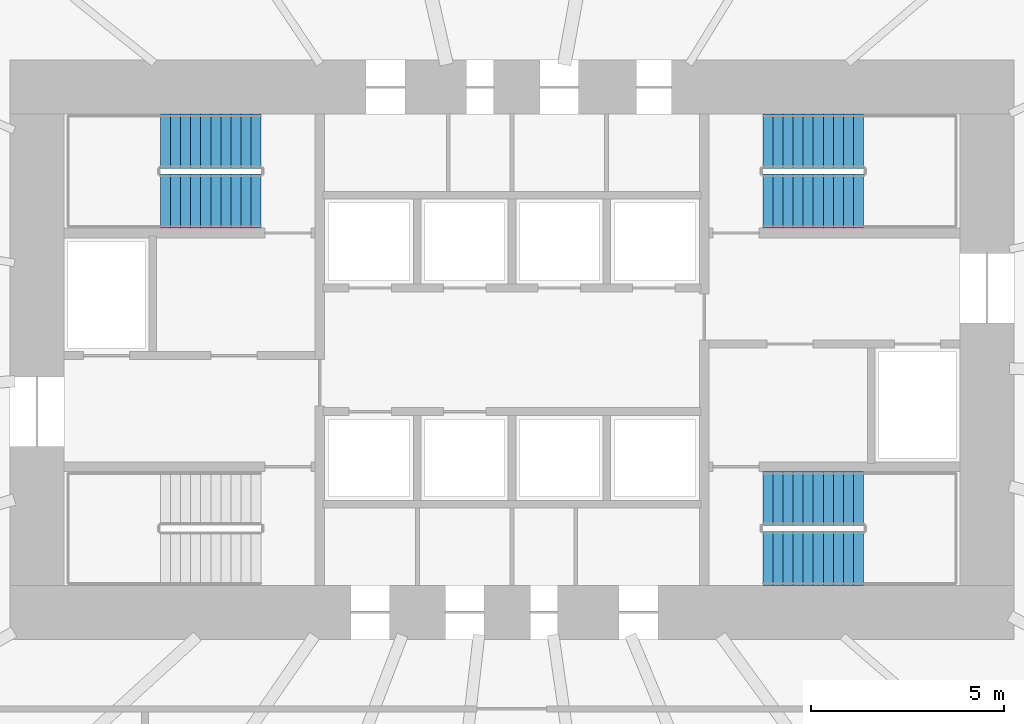
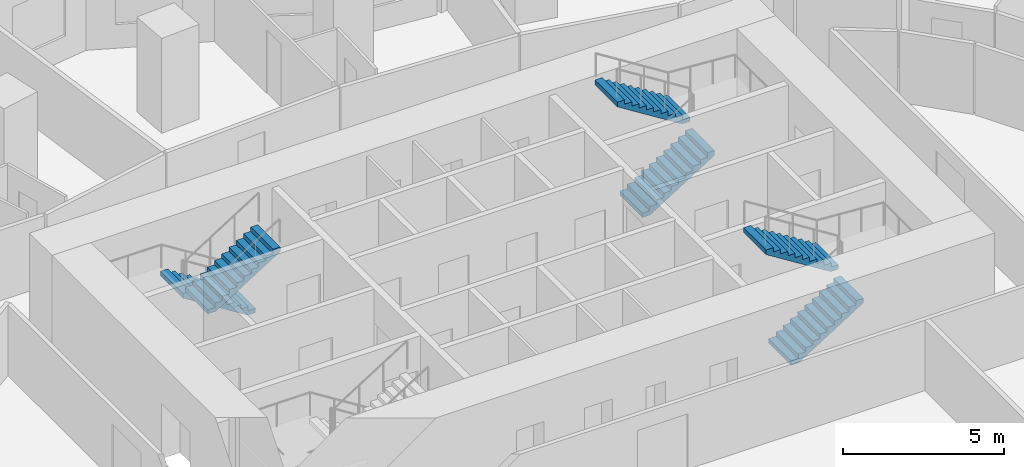
# One storey, part 10 of 11: 6 stair flights, 3 elements without a shape of their own.
"""IFC4 building model written with IfcOpenShell, lengths in metres."""

from ifc_helpers import new_model, si_unit, direction, frame, origin, place, context, subcontext, project, spatial, polyline, outline, extrude, material, type_object, element, aggregate, save


model = new_model("IFC4")

# Units and contexts
model_context = context("Model", 3, precision=1e-05, world=origin(), true_north=direction((0.0, 1.0)))
body_context = subcontext(model_context, "Body", "Model", "MODEL_VIEW")
ifc_project = project(units=[si_unit("LENGTHUNIT", "METRE"), si_unit("AREAUNIT", "SQUARE_METRE"), si_unit("VOLUMEUNIT", "CUBIC_METRE"), si_unit("PLANEANGLEUNIT", "RADIAN"), si_unit("MASSUNIT", "GRAM", prefix="KILO")], contexts=[model_context])

# Site, building, storey
site_placement = place(None, origin())
site = spatial("IfcSite", under=ifc_project, at=site_placement, CompositionType="ELEMENT")
building_placement = place(site_placement, origin())
building = spatial("IfcBuilding", under=site, at=building_placement, Name="Rubra Terraces Tower", CompositionType="ELEMENT")
storey_placement = place(building_placement, frame((0.0, 0.0, 37.5)))
storey = spatial("IfcBuildingStorey", under=building, at=storey_placement, Name="L06", CompositionType="ELEMENT", Elevation=37.5)

# Stair, stair flights
ifc_material = material(Name="Concrete C40", Category="concrete")
stair_type = type_object("IfcStairType", Name="Core stair 1400", PredefinedType="HALF_TURN_STAIR", material=ifc_material)
stair_1_placement = place(storey_placement, origin())
stair_1 = element("IfcStair", 1, at=stair_1_placement, inside=storey, type_object=stair_type, Name="L06 Exit stair S2", PredefinedType="HALF_TURN_STAIR")
stair_flight_type = type_object("IfcStairFlightType", Name="Core stair flight 1400", PredefinedType="STRAIGHT", material=ifc_material)
stair_flight_1_placement = place(storey_placement, frame((-6.5, 9.89990234375, 0.0), z_axis=(0.0, 0.0, 1.0), x_axis=(-1.0, 0.0, 0.0)))
stair_flight_1 = element("IfcStairFlight", 2, at=stair_flight_1_placement, type_object=stair_flight_type, Name="S2 flight 1", NumberOfRisers=11, NumberOfTreads=10, PredefinedType="STRAIGHT", RiserHeight=0.163636364, TreadLength=0.26, context=body_context, shape_type="SweptSolid", body=[
    extrude(outline(polyline([(0.0, 0.0), (0.0, 0.16357421875), (0.260009765625, 0.16357421875), (0.260009765625, 0.327392578125), (0.52001953125, 0.327392578125), (0.52001953125, 0.490966796875), (0.780029296875, 0.490966796875), (0.780029296875, 0.654541015625), (1.0400390625, 0.654541015625), (1.0400390625, 0.818115234375), (1.300048828125, 0.818115234375), (1.300048828125, 0.98193359375), (1.56005859375, 0.98193359375), (1.56005859375, 1.1455078125), (1.820068359375, 1.1455078125), (1.820068359375, 1.30908203125), (2.080078125, 1.30908203125), (2.080078125, 1.47265625), (2.340087890625, 1.47265625), (2.340087890625, 1.636474609375), (2.60009765625, 1.636474609375), (2.60009765625, 1.800048828125), (2.60009765625, 1.459228515625), (0.281494140625, 0.0), (0.0, 0.0)])), frame((0.0, 0.699951171875, 0.0), z_axis=(0.0, -1.0, 0.0), x_axis=(1.0, 0.0, 0.0)), (0.0, 0.0, 1.0), 1.39990234375),
])
stair_flight_2_placement = place(storey_placement, frame((-9.10009765625, 8.35009765625, 1.800048828125), z_axis=(0.0, 0.0, 1.0), x_axis=(1.0, 0.0, 0.0)))
stair_flight_2 = element("IfcStairFlight", 3, at=stair_flight_2_placement, type_object=stair_flight_type, Name="S2 flight 2", NumberOfRisers=11, NumberOfTreads=10, PredefinedType="STRAIGHT", RiserHeight=0.163636364, TreadLength=0.26, context=body_context, shape_type="SweptSolid", body=[
    extrude(outline(polyline([(0.0, 0.0), (0.0, 0.16357421875), (0.260009765625, 0.16357421875), (0.260009765625, 0.327392578125), (0.52001953125, 0.327392578125), (0.52001953125, 0.490966796875), (0.780029296875, 0.490966796875), (0.780029296875, 0.654541015625), (1.0400390625, 0.654541015625), (1.0400390625, 0.818115234375), (1.300048828125, 0.818115234375), (1.300048828125, 0.98193359375), (1.56005859375, 0.98193359375), (1.56005859375, 1.1455078125), (1.820068359375, 1.1455078125), (1.820068359375, 1.30908203125), (2.080078125, 1.30908203125), (2.080078125, 1.47265625), (2.340087890625, 1.47265625), (2.340087890625, 1.636474609375), (2.60009765625, 1.636474609375), (2.60009765625, 1.800048828125), (2.60009765625, 1.459228515625), (0.281494140625, 0.0), (0.0, 0.0)])), frame((0.0, 0.699951171875, 0.0), z_axis=(0.0, -1.0, 0.0), x_axis=(1.0, 0.0, 0.0)), (0.0, 0.0, 1.0), 1.39990234375),
])
aggregate(stair_1, [stair_flight_1, stair_flight_2])

stair_2_placement = place(storey_placement, origin())
stair_2 = element("IfcStair", 4, at=stair_2_placement, inside=storey, type_object=stair_type, Name="L06 Exit stair S3", PredefinedType="HALF_TURN_STAIR")
stair_flight_3_placement = place(storey_placement, frame((6.5, 8.35009765625, 0.0), z_axis=(0.0, 0.0, 1.0), x_axis=(1.0, 0.0, 0.0)))
stair_flight_3 = element("IfcStairFlight", 5, at=stair_flight_3_placement, type_object=stair_flight_type, Name="S3 flight 1", NumberOfRisers=11, NumberOfTreads=10, PredefinedType="STRAIGHT", RiserHeight=0.163636364, TreadLength=0.26, context=body_context, shape_type="SweptSolid", body=[
    extrude(outline(polyline([(0.0, 0.0), (0.0, 0.16357421875), (0.260009765625, 0.16357421875), (0.260009765625, 0.327392578125), (0.52001953125, 0.327392578125), (0.52001953125, 0.490966796875), (0.780029296875, 0.490966796875), (0.780029296875, 0.654541015625), (1.0400390625, 0.654541015625), (1.0400390625, 0.818115234375), (1.300048828125, 0.818115234375), (1.300048828125, 0.98193359375), (1.56005859375, 0.98193359375), (1.56005859375, 1.1455078125), (1.820068359375, 1.1455078125), (1.820068359375, 1.30908203125), (2.080078125, 1.30908203125), (2.080078125, 1.47265625), (2.340087890625, 1.47265625), (2.340087890625, 1.636474609375), (2.60009765625, 1.636474609375), (2.60009765625, 1.800048828125), (2.60009765625, 1.459228515625), (0.281494140625, 0.0), (0.0, 0.0)])), frame((0.0, 0.699951171875, 0.0), z_axis=(0.0, -1.0, 0.0), x_axis=(1.0, 0.0, 0.0)), (0.0, 0.0, 1.0), 1.39990234375),
])
stair_flight_4_placement = place(storey_placement, frame((9.10009765625, 9.89990234375, 1.800048828125), z_axis=(0.0, 0.0, 1.0), x_axis=(-1.0, 0.0, 0.0)))
stair_flight_4 = element("IfcStairFlight", 6, at=stair_flight_4_placement, type_object=stair_flight_type, Name="S3 flight 2", NumberOfRisers=11, NumberOfTreads=10, PredefinedType="STRAIGHT", RiserHeight=0.163636364, TreadLength=0.26, context=body_context, shape_type="SweptSolid", body=[
    extrude(outline(polyline([(0.0, 0.0), (0.0, 0.16357421875), (0.260009765625, 0.16357421875), (0.260009765625, 0.327392578125), (0.52001953125, 0.327392578125), (0.52001953125, 0.490966796875), (0.780029296875, 0.490966796875), (0.780029296875, 0.654541015625), (1.0400390625, 0.654541015625), (1.0400390625, 0.818115234375), (1.300048828125, 0.818115234375), (1.300048828125, 0.98193359375), (1.56005859375, 0.98193359375), (1.56005859375, 1.1455078125), (1.820068359375, 1.1455078125), (1.820068359375, 1.30908203125), (2.080078125, 1.30908203125), (2.080078125, 1.47265625), (2.340087890625, 1.47265625), (2.340087890625, 1.636474609375), (2.60009765625, 1.636474609375), (2.60009765625, 1.800048828125), (2.60009765625, 1.459228515625), (0.281494140625, 0.0), (0.0, 0.0)])), frame((0.0, 0.699951171875, 0.0), z_axis=(0.0, -1.0, 0.0), x_axis=(1.0, 0.0, 0.0)), (0.0, 0.0, 1.0), 1.39990234375),
])
aggregate(stair_2, [stair_flight_3, stair_flight_4])

stair_3_placement = place(storey_placement, origin())
stair_3 = element("IfcStair", 7, at=stair_3_placement, inside=storey, type_object=stair_type, Name="L06 Exit stair S4", PredefinedType="HALF_TURN_STAIR")
stair_flight_5_placement = place(storey_placement, frame((6.5, -0.89990234375, 0.0), z_axis=(0.0, 0.0, 1.0), x_axis=(1.0, 0.0, 0.0)))
stair_flight_5 = element("IfcStairFlight", 8, at=stair_flight_5_placement, type_object=stair_flight_type, Name="S4 flight 1", NumberOfRisers=11, NumberOfTreads=10, PredefinedType="STRAIGHT", RiserHeight=0.163636364, TreadLength=0.26, context=body_context, shape_type="SweptSolid", body=[
    extrude(outline(polyline([(0.0, 0.0), (0.0, 0.16357421875), (0.260009765625, 0.16357421875), (0.260009765625, 0.327392578125), (0.52001953125, 0.327392578125), (0.52001953125, 0.490966796875), (0.780029296875, 0.490966796875), (0.780029296875, 0.654541015625), (1.0400390625, 0.654541015625), (1.0400390625, 0.818115234375), (1.300048828125, 0.818115234375), (1.300048828125, 0.98193359375), (1.56005859375, 0.98193359375), (1.56005859375, 1.1455078125), (1.820068359375, 1.1455078125), (1.820068359375, 1.30908203125), (2.080078125, 1.30908203125), (2.080078125, 1.47265625), (2.340087890625, 1.47265625), (2.340087890625, 1.636474609375), (2.60009765625, 1.636474609375), (2.60009765625, 1.800048828125), (2.60009765625, 1.459228515625), (0.281494140625, 0.0), (0.0, 0.0)])), frame((0.0, 0.699951171875, 0.0), z_axis=(0.0, -1.0, 0.0), x_axis=(1.0, 0.0, 0.0)), (0.0, 0.0, 1.0), 1.39990234375),
])
stair_flight_6_placement = place(storey_placement, frame((9.10009765625, 0.64990234375, 1.800048828125), z_axis=(0.0, 0.0, 1.0), x_axis=(-1.0, 0.0, 0.0)))
stair_flight_6 = element("IfcStairFlight", 9, at=stair_flight_6_placement, type_object=stair_flight_type, Name="S4 flight 2", NumberOfRisers=11, NumberOfTreads=10, PredefinedType="STRAIGHT", RiserHeight=0.163636364, TreadLength=0.26, context=body_context, shape_type="SweptSolid", body=[
    extrude(outline(polyline([(0.0, 0.0), (0.0, 0.16357421875), (0.260009765625, 0.16357421875), (0.260009765625, 0.327392578125), (0.52001953125, 0.327392578125), (0.52001953125, 0.490966796875), (0.780029296875, 0.490966796875), (0.780029296875, 0.654541015625), (1.0400390625, 0.654541015625), (1.0400390625, 0.818115234375), (1.300048828125, 0.818115234375), (1.300048828125, 0.98193359375), (1.56005859375, 0.98193359375), (1.56005859375, 1.1455078125), (1.820068359375, 1.1455078125), (1.820068359375, 1.30908203125), (2.080078125, 1.30908203125), (2.080078125, 1.47265625), (2.340087890625, 1.47265625), (2.340087890625, 1.636474609375), (2.60009765625, 1.636474609375), (2.60009765625, 1.800048828125), (2.60009765625, 1.459228515625), (0.281494140625, 0.0), (0.0, 0.0)])), frame((0.0, 0.699951171875, 0.0), z_axis=(0.0, -1.0, 0.0), x_axis=(1.0, 0.0, 0.0)), (0.0, 0.0, 1.0), 1.39990234375),
])
aggregate(stair_3, [stair_flight_5, stair_flight_6])

save(model, "model.ifc")
